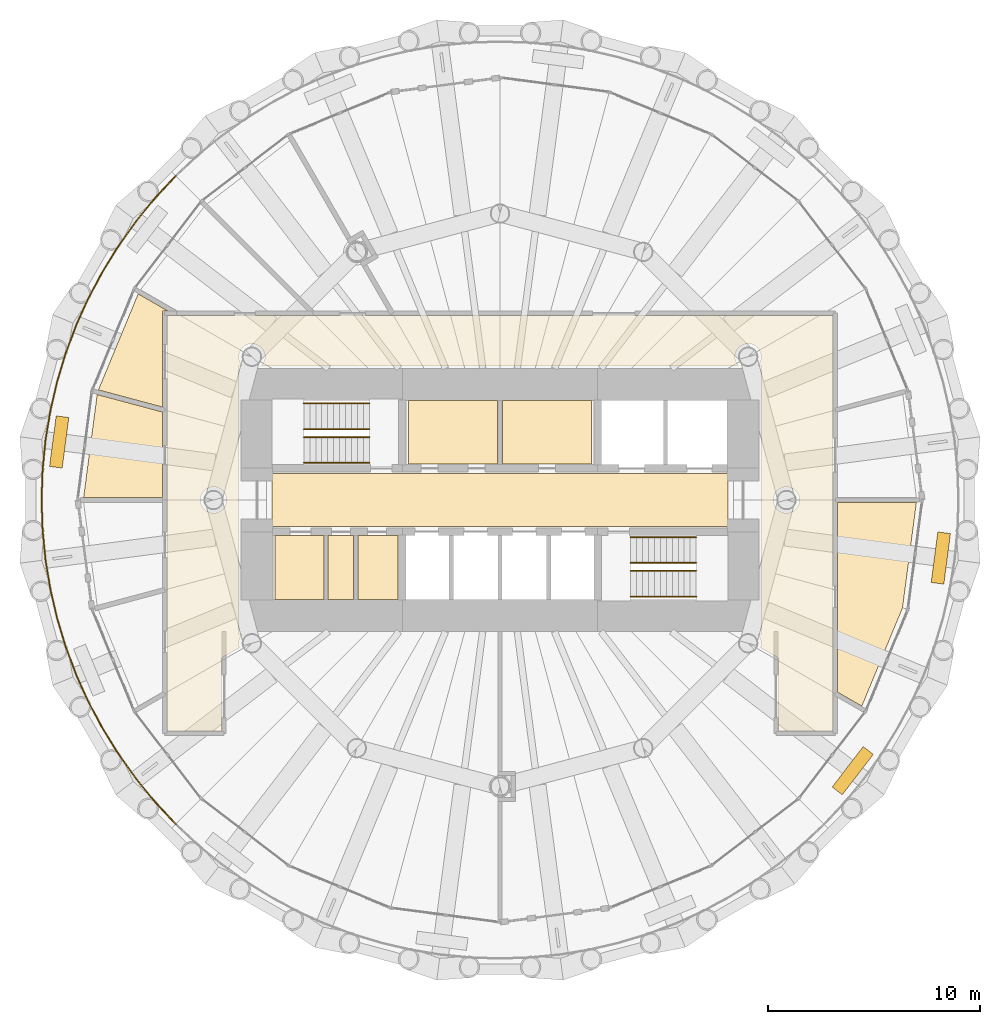
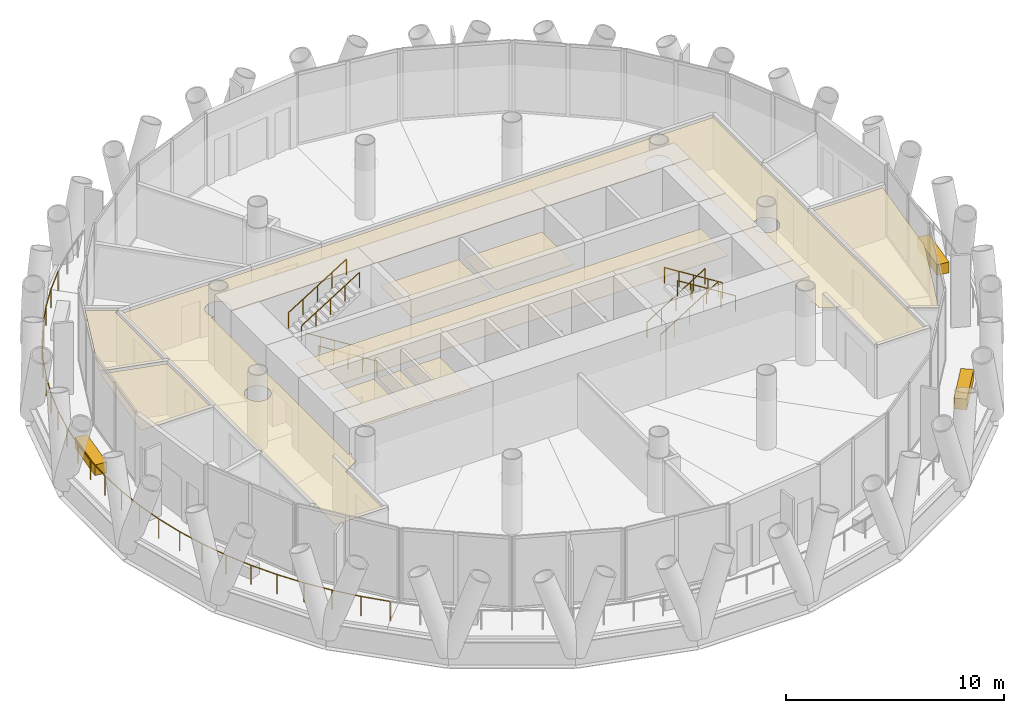
# One storey, part 14 of 16: 13 coverings, 9 railings.
"""IFC4 building model written with IfcOpenShell, lengths in metres."""

from ifc_helpers import new_model, si_unit, direction, frame, origin, origin_2d, place, context, subcontext, project, spatial, polyline, rectangle, circle, outline, extrude, material, layer, layer_set, type_object, element, save


model = new_model("IFC4")

# Units and contexts
model_context = context("Model", 3, precision=1e-05, world=origin(), true_north=direction((0.0, 1.0)))
body_context = subcontext(model_context, "Body", "Model", "MODEL_VIEW")
ifc_project = project(units=[si_unit("LENGTHUNIT", "METRE"), si_unit("AREAUNIT", "SQUARE_METRE"), si_unit("VOLUMEUNIT", "CUBIC_METRE"), si_unit("PLANEANGLEUNIT", "RADIAN"), si_unit("MASSUNIT", "GRAM", prefix="KILO")], contexts=[model_context])

# Site, building, storey
site_placement = place(None, origin())
site = spatial("IfcSite", under=ifc_project, at=site_placement, CompositionType="ELEMENT")
building_placement = place(site_placement, origin())
building = spatial("IfcBuilding", under=site, at=building_placement, Name="Qaws Media Tower", CompositionType="ELEMENT")
storey_placement = place(building_placement, frame((0.0, 0.0, 252.800048828125)))
storey = spatial("IfcBuildingStorey", under=building, at=storey_placement, Name="L58", CompositionType="ELEMENT", Elevation=252.800048828125)

# Covering
ifc_material_1 = material(Name="40 perforated acoustic panels with mineral wool backing, suspended", Category="mineral fibre")
ifc_layer_1 = layer(ifc_material_1, 0.0400390625)
ifc_layer_set_1 = layer_set([ifc_layer_1], Name="Acoustic panel ceiling 40")
covering_type_1 = type_object("IfcCoveringType", Name="Acoustic panel ceiling 40", PredefinedType="CEILING", material=ifc_layer_set_1)
covering_1_placement = place(storey_placement, frame((0.0, 0.0, 2.849853515625)))
element("IfcCovering", 1, at=covering_1_placement, inside=storey, type_object=covering_type_1, Name="CL3 ceiling L58-12 Bureau newsroom", PredefinedType="CEILING", context=body_context, shape_type="SweptSolid", body=[
    extrude(outline(polyline([(78.96630859375, 44.91796875), (77.048095703125, 40.287109375), (75.91259765625, 40.94287109375), (75.91259765625, 49.887451171875), (79.620361328125, 49.887451171875), (78.96630859375, 44.91796875)])), origin(), (0.0, 0.0, 1.0), 0.0400390625),
])

# Railing
ifc_material_2 = material(Name="Stainless steel and glass guard", Category="steel")
railing_type_1 = type_object("IfcRailingType", Name="Balcony guard 1100", PredefinedType="GUARDRAIL", material=ifc_material_2)
railing_placement = place(storey_placement, frame((44.7265625, 65.2734375, 0.0)))
element("IfcRailing", 2, at=railing_placement, inside=storey, type_object=railing_type_1, Name="GR1 balcony guard L58-2", PredefinedType="GUARDRAIL", context=body_context, shape_type="SweptSolid", body=[
    extrude(circle(Radius=0.02392578125, at=origin_2d()), frame((0.0, 0.0, 1.076171875), z_axis=(-0.683671032041, -0.729790326017, 0.0), x_axis=(0.729790326017, -0.683671032041, 0.0)), (0.0, 0.0, 1.0), 1.413330078125),
    extrude(circle(Radius=0.02392578125, at=origin_2d()), frame((-0.96630859375, -1.031494140625, 1.076171875), z_axis=(-0.634356309919, -0.773040795861, 0.0), x_axis=(0.773040795861, -0.634356309919, 0.0)), (0.0, 0.0, 1.0), 1.41357421875),
    extrude(circle(Radius=0.02392578125, at=origin_2d()), frame((-1.863037109375, -2.124267578125, 1.076171875), z_axis=(-0.582446664369, -0.812868921269, 0.0), x_axis=(0.812868921269, -0.582446664369, 0.0)), (0.0, 0.0, 1.0), 1.413330078125),
    extrude(circle(Radius=0.02392578125, at=origin_2d()), frame((-2.686279296875, -3.273193359375, 1.076171875), z_axis=(-0.528072180302, -0.849199489161, 0.0), x_axis=(0.849199489161, -0.528072180302, 0.0)), (0.0, 0.0, 1.0), 1.413330078125),
    extrude(circle(Radius=0.02392578125, at=origin_2d()), frame((-3.4326171875, -4.473388671875, 1.076171875), z_axis=(-0.471502337511, -0.881864811477, 0.0), x_axis=(0.881864811477, -0.471502337511, 0.0)), (0.0, 0.0, 1.0), 1.41357421875),
    extrude(circle(Radius=0.02392578125, at=origin_2d()), frame((-4.09912109375, -5.719970703125, 1.076171875), z_axis=(-0.412618425224, -0.91090396594, 0.0), x_axis=(0.91090396594, -0.412618425224, 0.0)), (0.0, 0.0, 1.0), 1.41357421875),
    extrude(circle(Radius=0.02392578125, at=origin_2d()), frame((-4.682373046875, -7.007568359375, 1.076171875), z_axis=(-0.35222117747, -0.935916792317, 0.0), x_axis=(0.935916792317, -0.35222117747, 0.0)), (0.0, 0.0, 1.0), 1.413330078125),
    extrude(circle(Radius=0.02392578125, at=origin_2d()), frame((-5.18017578125, -8.330322265625, 1.076171875), z_axis=(-0.290357337206, -0.956918291565, 0.0), x_axis=(0.956918291565, -0.290357337206, 0.0)), (0.0, 0.0, 1.0), 1.413330078125),
    extrude(circle(Radius=0.02392578125, at=origin_2d()), frame((-5.590576171875, -9.682861328125, 1.076171875), z_axis=(-0.227104044845, -0.97387050105, 0.0), x_axis=(0.97387050105, -0.227104044845, 0.0)), (0.0, 0.0, 1.0), 1.41357421875),
    extrude(circle(Radius=0.02392578125, at=origin_2d()), frame((-5.91162109375, -11.0595703125, 1.076171875), z_axis=(-0.162886222409, -0.986644859384, 0.0), x_axis=(0.986644859384, -0.162886222409, 0.0)), (0.0, 0.0, 1.0), 1.413330078125),
    extrude(circle(Radius=0.02392578125, at=origin_2d()), frame((-6.141845703125, -12.4541015625, 1.076171875), z_axis=(-0.097930334174, -0.99519327251, 0.0), x_axis=(0.99519327251, -0.097930334174, 0.0)), (0.0, 0.0, 1.0), 1.41357421875),
    extrude(circle(Radius=0.02392578125, at=origin_2d()), frame((-6.2802734375, -13.86083984375, 1.076171875), z_axis=(-0.032820193872, -0.999461272323, 0.0), x_axis=(0.999461272323, -0.032820193872, 0.0)), (0.0, 0.0, 1.0), 1.413330078125),
    extrude(circle(Radius=0.02392578125, at=origin_2d()), frame((-6.32666015625, -15.2734375, 1.076171875), z_axis=(0.032820193872, -0.999461272323, 0.0), x_axis=(0.999461272323, 0.032820193872, 0.0)), (0.0, 0.0, 1.0), 1.413330078125),
    extrude(circle(Radius=0.02392578125, at=origin_2d()), frame((-6.2802734375, -16.68603515625, 1.076171875), z_axis=(0.097930334174, -0.99519327251, 0.0), x_axis=(0.99519327251, 0.097930334174, 0.0)), (0.0, 0.0, 1.0), 1.41357421875),
    extrude(circle(Radius=0.02392578125, at=origin_2d()), frame((-6.141845703125, -18.0927734375, 1.076171875), z_axis=(0.162886222409, -0.986644859384, 0.0), x_axis=(0.986644859384, 0.162886222409, 0.0)), (0.0, 0.0, 1.0), 1.413330078125),
    extrude(circle(Radius=0.02392578125, at=origin_2d()), frame((-5.91162109375, -19.4873046875, 1.076171875), z_axis=(0.227104044845, -0.97387050105, 0.0), x_axis=(0.97387050105, 0.227104044845, 0.0)), (0.0, 0.0, 1.0), 1.41357421875),
    extrude(circle(Radius=0.02392578125, at=origin_2d()), frame((-5.590576171875, -20.864013671875, 1.076171875), z_axis=(0.290357337206, -0.956918291565, 0.0), x_axis=(0.956918291565, 0.290357337206, 0.0)), (0.0, 0.0, 1.0), 1.413330078125),
    extrude(circle(Radius=0.02392578125, at=origin_2d()), frame((-5.18017578125, -22.216552734375, 1.076171875), z_axis=(0.35222117747, -0.935916792317, 0.0), x_axis=(0.935916792317, 0.35222117747, 0.0)), (0.0, 0.0, 1.0), 1.413330078125),
    extrude(circle(Radius=0.02392578125, at=origin_2d()), frame((-4.682373046875, -23.539306640625, 1.076171875), z_axis=(0.412618425224, -0.91090396594, 0.0), x_axis=(0.91090396594, 0.412618425224, 0.0)), (0.0, 0.0, 1.0), 1.41357421875),
    extrude(circle(Radius=0.02392578125, at=origin_2d()), frame((-4.09912109375, -24.826904296875, 1.076171875), z_axis=(0.471502337511, -0.881864811477, 0.0), x_axis=(0.881864811477, 0.471502337511, 0.0)), (0.0, 0.0, 1.0), 1.41357421875),
    extrude(circle(Radius=0.02392578125, at=origin_2d()), frame((-3.4326171875, -26.073486328125, 1.076171875), z_axis=(0.528072180302, -0.849199489161, 0.0), x_axis=(0.849199489161, 0.528072180302, 0.0)), (0.0, 0.0, 1.0), 1.413330078125),
    extrude(circle(Radius=0.02392578125, at=origin_2d()), frame((-2.686279296875, -27.273681640625, 1.076171875), z_axis=(0.582446664369, -0.812868921269, 0.0), x_axis=(0.812868921269, 0.582446664369, 0.0)), (0.0, 0.0, 1.0), 1.413330078125),
    extrude(circle(Radius=0.02392578125, at=origin_2d()), frame((-1.863037109375, -28.422607421875, 1.076171875), z_axis=(0.634356309919, -0.773040795861, 0.0), x_axis=(0.773040795861, 0.634356309919, 0.0)), (0.0, 0.0, 1.0), 1.41357421875),
    extrude(circle(Radius=0.02392578125, at=origin_2d()), frame((-0.96630859375, -29.515380859375, 1.076171875), z_axis=(0.683671032041, -0.729790326017, 0.0), x_axis=(0.729790326017, 0.683671032041, 0.0)), (0.0, 0.0, 1.0), 1.413330078125),
    extrude(circle(Radius=0.02099609375, at=origin_2d()), origin(), (0.0, 0.0, 1.0), 1.052001953125),
    extrude(circle(Radius=0.02099609375, at=origin_2d()), frame((-0.96630859375, -1.031494140625, 0.0)), (0.0, 0.0, 1.0), 1.052001953125),
    extrude(circle(Radius=0.02099609375, at=origin_2d()), frame((-1.863037109375, -2.124267578125, 0.0)), (0.0, 0.0, 1.0), 1.052001953125),
    extrude(circle(Radius=0.02099609375, at=origin_2d()), frame((-2.686279296875, -3.273193359375, 0.0)), (0.0, 0.0, 1.0), 1.052001953125),
    extrude(circle(Radius=0.02099609375, at=origin_2d()), frame((-3.4326171875, -4.473388671875, 0.0)), (0.0, 0.0, 1.0), 1.052001953125),
    extrude(circle(Radius=0.02099609375, at=origin_2d()), frame((-4.09912109375, -5.719970703125, 0.0)), (0.0, 0.0, 1.0), 1.052001953125),
    extrude(circle(Radius=0.02099609375, at=origin_2d()), frame((-4.682373046875, -7.007568359375, 0.0)), (0.0, 0.0, 1.0), 1.052001953125),
    extrude(circle(Radius=0.02099609375, at=origin_2d()), frame((-5.18017578125, -8.330322265625, 0.0)), (0.0, 0.0, 1.0), 1.052001953125),
    extrude(circle(Radius=0.02099609375, at=origin_2d()), frame((-5.590576171875, -9.682861328125, 0.0)), (0.0, 0.0, 1.0), 1.052001953125),
    extrude(circle(Radius=0.02099609375, at=origin_2d()), frame((-5.91162109375, -11.0595703125, 0.0)), (0.0, 0.0, 1.0), 1.052001953125),
    extrude(circle(Radius=0.02099609375, at=origin_2d()), frame((-6.141845703125, -12.4541015625, 0.0)), (0.0, 0.0, 1.0), 1.052001953125),
    extrude(circle(Radius=0.02099609375, at=origin_2d()), frame((-6.2802734375, -13.86083984375, 0.0)), (0.0, 0.0, 1.0), 1.052001953125),
    extrude(circle(Radius=0.02099609375, at=origin_2d()), frame((-6.32666015625, -15.2734375, 0.0)), (0.0, 0.0, 1.0), 1.052001953125),
    extrude(circle(Radius=0.02099609375, at=origin_2d()), frame((-6.2802734375, -16.68603515625, 0.0)), (0.0, 0.0, 1.0), 1.052001953125),
    extrude(circle(Radius=0.02099609375, at=origin_2d()), frame((-6.141845703125, -18.0927734375, 0.0)), (0.0, 0.0, 1.0), 1.052001953125),
    extrude(circle(Radius=0.02099609375, at=origin_2d()), frame((-5.91162109375, -19.4873046875, 0.0)), (0.0, 0.0, 1.0), 1.052001953125),
    extrude(circle(Radius=0.02099609375, at=origin_2d()), frame((-5.590576171875, -20.864013671875, 0.0)), (0.0, 0.0, 1.0), 1.052001953125),
    extrude(circle(Radius=0.02099609375, at=origin_2d()), frame((-5.18017578125, -22.216552734375, 0.0)), (0.0, 0.0, 1.0), 1.052001953125),
    extrude(circle(Radius=0.02099609375, at=origin_2d()), frame((-4.682373046875, -23.539306640625, 0.0)), (0.0, 0.0, 1.0), 1.052001953125),
    extrude(circle(Radius=0.02099609375, at=origin_2d()), frame((-4.09912109375, -24.826904296875, 0.0)), (0.0, 0.0, 1.0), 1.052001953125),
    extrude(circle(Radius=0.02099609375, at=origin_2d()), frame((-3.4326171875, -26.073486328125, 0.0)), (0.0, 0.0, 1.0), 1.052001953125),
    extrude(circle(Radius=0.02099609375, at=origin_2d()), frame((-2.686279296875, -27.273681640625, 0.0)), (0.0, 0.0, 1.0), 1.052001953125),
    extrude(circle(Radius=0.02099609375, at=origin_2d()), frame((-1.863037109375, -28.422607421875, 0.0)), (0.0, 0.0, 1.0), 1.052001953125),
    extrude(circle(Radius=0.02099609375, at=origin_2d()), frame((-0.96630859375, -29.515380859375, 0.0)), (0.0, 0.0, 1.0), 1.052001953125),
    extrude(circle(Radius=0.02099609375, at=origin_2d()), frame((0.0, -30.546875, 0.0)), (0.0, 0.0, 1.0), 1.052001953125),
])

# Coverings
ifc_material_3 = material(Name="600 x 600 mineral fibre tiles in exposed grid, suspended", Category="mineral fibre")
ifc_layer_2 = layer(ifc_material_3, 0.02001953125)
ifc_layer_set_2 = layer_set([ifc_layer_2], Name="Mineral fibre tile ceiling 20")
covering_type_2 = type_object("IfcCoveringType", Name="Mineral fibre tile ceiling 20", PredefinedType="CEILING", material=ifc_layer_set_2)
covering_2_placement = place(storey_placement, frame((0.0, 0.0, 2.849853515625)))
element("IfcCovering", 3, at=covering_2_placement, inside=storey, type_object=covering_type_2, Name="CL1 ceiling L58-C07 Ladies toilets", PredefinedType="CEILING", context=body_context, shape_type="SweptSolid", body=[
    extrude(outline(polyline([(55.695068359375, 51.695068359375), (55.695068359375, 54.679931640625), (59.8798828125, 54.679931640625), (59.8798828125, 51.695068359375), (55.695068359375, 51.695068359375)])), origin(), (0.0, 0.0, 1.0), 0.02001953125),
])
covering_3_placement = place(storey_placement, frame((0.0, 0.0, 2.849853515625)))
element("IfcCovering", 4, at=covering_3_placement, inside=storey, type_object=covering_type_2, Name="CL1 ceiling L58-C08 Gents toilets", PredefinedType="CEILING", context=body_context, shape_type="SweptSolid", body=[
    extrude(outline(polyline([(60.1201171875, 51.695068359375), (60.1201171875, 54.679931640625), (64.304931640625, 54.679931640625), (64.304931640625, 51.695068359375), (60.1201171875, 51.695068359375)])), origin(), (0.0, 0.0, 1.0), 0.02001953125),
])
covering_4_placement = place(storey_placement, frame((0.0, 0.0, 2.849853515625)))
element("IfcCovering", 5, at=covering_4_placement, inside=storey, type_object=covering_type_2, Name="CL1 ceiling L58-01 Corridor", PredefinedType="CEILING", context=body_context, shape_type="SweptSolid", body=[
    extrude(outline(polyline([(46.887451171875, 39.112548828125), (44.3125, 39.112548828125), (44.3125, 58.6875), (75.6875, 58.6875), (75.6875, 39.112548828125), (73.112548828125, 39.112548828125), (73.112548828125, 42.559326171875), (72.27197265625, 43.044921875), (72.287353515625, 43.09033203125), (72.302978515625, 43.16943359375), (72.308349609375, 43.25), (72.302978515625, 43.33056640625), (72.287353515625, 43.40966796875), (72.261474609375, 43.486083984375), (72.2255859375, 43.55859375), (72.180908203125, 43.62548828125), (72.126220703125, 43.6875), (72.3125, 43.6875), (72.3125, 56.3125), (72.126220703125, 56.3125), (72.180908203125, 56.37451171875), (72.2255859375, 56.44140625), (72.261474609375, 56.513916015625), (72.287353515625, 56.59033203125), (72.302978515625, 56.66943359375), (72.308349609375, 56.75), (72.302978515625, 56.83056640625), (72.287353515625, 56.90966796875), (72.261474609375, 56.986083984375), (72.2255859375, 57.05859375), (72.180908203125, 57.12548828125), (72.127685546875, 57.186279296875), (72.06689453125, 57.239501953125), (71.999755859375, 57.2841796875), (71.927490234375, 57.320068359375), (71.85107421875, 57.345947265625), (71.77197265625, 57.36181640625), (71.69140625, 57.366943359375), (71.61083984375, 57.36181640625), (71.53173828125, 57.345947265625), (71.455078125, 57.320068359375), (71.3828125, 57.2841796875), (71.315673828125, 57.239501953125), (71.255126953125, 57.186279296875), (71.201904296875, 57.12548828125), (71.156982421875, 57.05859375), (71.121337890625, 56.986083984375), (71.095458984375, 56.90966796875), (71.07958984375, 56.83056640625), (71.07421875, 56.75), (71.07958984375, 56.66943359375), (71.095458984375, 56.59033203125), (71.121337890625, 56.513916015625), (71.156982421875, 56.44140625), (71.201904296875, 56.37451171875), (71.25634765625, 56.3125), (48.74365234375, 56.3125), (48.798095703125, 56.37451171875), (48.843017578125, 56.44140625), (48.878662109375, 56.513916015625), (48.904541015625, 56.59033203125), (48.92041015625, 56.66943359375), (48.92578125, 56.75), (48.92041015625, 56.83056640625), (48.904541015625, 56.90966796875), (48.878662109375, 56.986083984375), (48.843017578125, 57.05859375), (48.798095703125, 57.12548828125), (48.744873046875, 57.186279296875), (48.684326171875, 57.239501953125), (48.6171875, 57.2841796875), (48.544921875, 57.320068359375), (48.46826171875, 57.345947265625), (48.38916015625, 57.36181640625), (48.30859375, 57.366943359375), (48.22802734375, 57.36181640625), (48.14892578125, 57.345947265625), (48.072509765625, 57.320068359375), (48.000244140625, 57.2841796875), (47.93310546875, 57.239501953125), (47.872314453125, 57.186279296875), (47.819091796875, 57.12548828125), (47.7744140625, 57.05859375), (47.738525390625, 56.986083984375), (47.712646484375, 56.90966796875), (47.697021484375, 56.83056640625), (47.691650390625, 56.75), (47.697021484375, 56.66943359375), (47.712646484375, 56.59033203125), (47.738525390625, 56.513916015625), (47.7744140625, 56.44140625), (47.819091796875, 56.37451171875), (47.873779296875, 56.3125), (47.6875, 56.3125), (47.6875, 43.6875), (47.873779296875, 43.6875), (47.819091796875, 43.62548828125), (47.7744140625, 43.55859375), (47.738525390625, 43.486083984375), (47.712646484375, 43.40966796875), (47.697021484375, 43.33056640625), (47.691650390625, 43.25), (47.697021484375, 43.16943359375), (47.712646484375, 43.09033203125), (47.72802734375, 43.044921875), (46.887451171875, 42.559326171875), (46.887451171875, 39.112548828125)]), holes=[polyline([(47.070068359375, 49.763916015625), (47.095947265625, 49.84033203125), (47.11181640625, 49.91943359375), (47.116943359375, 50.0), (47.11181640625, 50.08056640625), (47.095947265625, 50.15966796875), (47.070068359375, 50.236083984375), (47.0341796875, 50.30859375), (46.989501953125, 50.37548828125), (46.936279296875, 50.436279296875), (46.87548828125, 50.489501953125), (46.80859375, 50.5341796875), (46.736083984375, 50.570068359375), (46.65966796875, 50.595947265625), (46.58056640625, 50.61181640625), (46.5, 50.616943359375), (46.41943359375, 50.61181640625), (46.34033203125, 50.595947265625), (46.263916015625, 50.570068359375), (46.19140625, 50.5341796875), (46.12451171875, 50.489501953125), (46.063720703125, 50.436279296875), (46.010498046875, 50.37548828125), (45.9658203125, 50.30859375), (45.929931640625, 50.236083984375), (45.904052734375, 50.15966796875), (45.88818359375, 50.08056640625), (45.883056640625, 50.0), (45.88818359375, 49.91943359375), (45.904052734375, 49.84033203125), (45.929931640625, 49.763916015625), (45.9658203125, 49.69140625), (46.010498046875, 49.62451171875), (46.063720703125, 49.563720703125), (46.12451171875, 49.510498046875), (46.19140625, 49.4658203125), (46.263916015625, 49.429931640625), (46.34033203125, 49.404052734375), (46.41943359375, 49.38818359375), (46.5, 49.383056640625), (46.58056640625, 49.38818359375), (46.65966796875, 49.404052734375), (46.736083984375, 49.429931640625), (46.80859375, 49.4658203125), (46.87548828125, 49.510498046875), (46.936279296875, 49.563720703125), (46.989501953125, 49.62451171875), (47.0341796875, 49.69140625), (47.070068359375, 49.763916015625)]), polyline([(74.095947265625, 49.84033203125), (74.11181640625, 49.91943359375), (74.116943359375, 50.0), (74.11181640625, 50.08056640625), (74.095947265625, 50.15966796875), (74.070068359375, 50.236083984375), (74.0341796875, 50.30859375), (73.989501953125, 50.37548828125), (73.936279296875, 50.436279296875), (73.87548828125, 50.489501953125), (73.80859375, 50.5341796875), (73.736083984375, 50.570068359375), (73.65966796875, 50.595947265625), (73.58056640625, 50.61181640625), (73.5, 50.616943359375), (73.41943359375, 50.61181640625), (73.34033203125, 50.595947265625), (73.263916015625, 50.570068359375), (73.19140625, 50.5341796875), (73.12451171875, 50.489501953125), (73.063720703125, 50.436279296875), (73.010498046875, 50.37548828125), (72.9658203125, 50.30859375), (72.929931640625, 50.236083984375), (72.904052734375, 50.15966796875), (72.88818359375, 50.08056640625), (72.883056640625, 50.0), (72.88818359375, 49.91943359375), (72.904052734375, 49.84033203125), (72.929931640625, 49.763916015625), (72.9658203125, 49.69140625), (73.010498046875, 49.62451171875), (73.063720703125, 49.563720703125), (73.12451171875, 49.510498046875), (73.19140625, 49.4658203125), (73.263916015625, 49.429931640625), (73.34033203125, 49.404052734375), (73.41943359375, 49.38818359375), (73.5, 49.383056640625), (73.58056640625, 49.38818359375), (73.65966796875, 49.404052734375), (73.736083984375, 49.429931640625), (73.80859375, 49.4658203125), (73.87548828125, 49.510498046875), (73.936279296875, 49.563720703125), (73.989501953125, 49.62451171875), (74.0341796875, 49.69140625), (74.070068359375, 49.763916015625), (74.095947265625, 49.84033203125)])]), origin(), (0.0, 0.0, 1.0), 0.02001953125),
])
covering_5_placement = place(storey_placement, frame((0.0, 0.0, 2.849853515625)))
element("IfcCovering", 6, at=covering_5_placement, inside=storey, type_object=covering_type_2, Name="CL1 ceiling L58-07 Office", PredefinedType="CEILING", context=body_context, shape_type="SweptSolid", body=[
    extrude(outline(polyline([(41.01904296875, 54.969482421875), (44.08740234375, 54.147216796875), (44.08740234375, 50.112548828125), (40.379638671875, 50.112548828125), (41.01904296875, 54.969482421875)])), origin(), (0.0, 0.0, 1.0), 0.02001953125),
])
covering_6_placement = place(storey_placement, frame((0.0, 0.0, 2.849853515625)))
element("IfcCovering", 7, at=covering_6_placement, inside=storey, type_object=covering_type_2, Name="CL1 ceiling L58-C05 Cleaner's room", PredefinedType="CEILING", context=body_context, shape_type="SweptSolid", body=[
    extrude(outline(polyline([(51.89990234375, 45.300048828125), (51.89990234375, 48.324951171875), (53.10009765625, 48.324951171875), (53.10009765625, 45.300048828125), (51.89990234375, 45.300048828125)])), origin(), (0.0, 0.0, 1.0), 0.02001953125),
])
covering_7_placement = place(storey_placement, frame((0.0, 0.0, 2.849853515625)))
element("IfcCovering", 8, at=covering_7_placement, inside=storey, type_object=covering_type_2, Name="CL1 ceiling L58-C06 First aid room", PredefinedType="CEILING", context=body_context, shape_type="SweptSolid", body=[
    extrude(outline(polyline([(53.300048828125, 45.300048828125), (53.300048828125, 48.324951171875), (55.199951171875, 48.324951171875), (55.199951171875, 45.300048828125), (53.300048828125, 45.300048828125)])), origin(), (0.0, 0.0, 1.0), 0.02001953125),
])
ifc_material_4 = material(Name="Precast concrete planter with trailing planting", Category="concrete")
ifc_layer_3 = layer(ifc_material_4, 0.60009765625)
ifc_layer_set_3 = layer_set([ifc_layer_3], Name="Planter 2400x600")
covering_type_3 = type_object("IfcCoveringType", Name="Planter 2400x600", PredefinedType="USERDEFINED", material=ifc_layer_set_3)
for number, where, z_axis, x_axis, name in (
    (9, (39.229248046875, 52.734619140625, 0.0), (0.0, 0.0, 1.0), (-0.13052619222, -0.991444861374, 0.0), "PL1 balcony planter L58-06"),
    (10, (76.620849609375, 37.246337890625, 0.0), (0.0, 0.0, 1.0), (0.608761429009, 0.793353340291, 0.0), "PL1 balcony planter L58-11"),
    (11, (80.770751953125, 47.265380859375, 0.0), (0.0, 0.0, 1.0), (0.13052619222, 0.991444861374, 0.0), "PL1 balcony planter L58-12"),
):
    element("IfcCovering", number, at=place(storey_placement, frame(where, z_axis=z_axis, x_axis=x_axis)), inside=storey, type_object=covering_type_3, Name=name, ObjectType="PLANTER", PredefinedType="USERDEFINED", context=body_context, shape_type="SweptSolid", body=[
        extrude(rectangle(XDim=2.39990234375, YDim=0.60009765625, at=origin_2d()), origin(), (0.0, 0.0, 1.0), 0.60009765625),
    ])
ifc_material_5 = material(Name="Two layers 12.5 moisture-resistant plasterboard on suspended metal furring", Category="gypsum")
ifc_layer_4 = layer(ifc_material_5, 0.02490234375)
ifc_layer_set_4 = layer_set([ifc_layer_4], Name="Plasterboard ceiling 25")
covering_type_4 = type_object("IfcCoveringType", Name="Plasterboard ceiling 25", PredefinedType="CEILING", material=ifc_layer_set_4)
covering_8_placement = place(storey_placement, frame((0.0, 0.0, 2.849853515625)))
element("IfcCovering", 12, at=covering_8_placement, inside=storey, type_object=covering_type_4, Name="CL2 ceiling L58-C01 Lift lobby", PredefinedType="CEILING", context=body_context, shape_type="SweptSolid", body=[
    extrude(outline(polyline([(49.25, 48.75), (49.25, 51.25), (70.75, 51.25), (70.75, 48.75), (49.25, 48.75)])), origin(), (0.0, 0.0, 1.0), 0.025146484375),
])
covering_9_placement = place(storey_placement, frame((0.0, 0.0, 2.849853515625)))
element("IfcCovering", 13, at=covering_9_placement, inside=storey, type_object=covering_type_4, Name="CL2 ceiling L58-06 Bureau reception", PredefinedType="CEILING", context=body_context, shape_type="SweptSolid", body=[
    extrude(outline(polyline([(42.951904296875, 59.712890625), (44.338134765625, 58.91259765625), (44.08740234375, 58.91259765625), (44.08740234375, 54.380126953125), (41.0771484375, 55.186767578125), (42.951904296875, 59.712890625)])), origin(), (0.0, 0.0, 1.0), 0.025146484375),
])
covering_10_placement = place(storey_placement, frame((0.0, 0.0, 2.849853515625)))
element("IfcCovering", 14, at=covering_10_placement, inside=storey, type_object=covering_type_4, Name="CL2 ceiling L58-C04 Accessible WC", PredefinedType="CEILING", context=body_context, shape_type="SweptSolid", body=[
    extrude(outline(polyline([(49.39990234375, 45.300048828125), (49.39990234375, 48.324951171875), (51.699951171875, 48.324951171875), (51.699951171875, 45.300048828125), (49.39990234375, 45.300048828125)])), origin(), (0.0, 0.0, 1.0), 0.025146484375),
])

# Railings
ifc_material_6 = material(Name="Steel tube handrail", Category="steel")
railing_type_2 = type_object("IfcRailingType", Name="Stair handrail 900", PredefinedType="HANDRAIL", material=ifc_material_6)
for number, where, name in (
    (15, (53.840087890625, 51.75, 0.175048828125), "HR1 handrail S1 flight 1 L58"),
    (16, (53.840087890625, 52.9599609375, 0.175048828125), "HR1 handrail S1 flight 1 L58"),
):
    element("IfcRailing", number, at=place(storey_placement, frame(where)), inside=storey, type_object=railing_type_2, Name=name, PredefinedType="HANDRAIL", context=body_context, shape_type="SweptSolid", body=[
        extrude(circle(Radius=0.02392578125, at=origin_2d()), frame((0.0, 0.0, 0.8759765625), z_axis=(-0.848028513186, 0.0, 0.529950602248), x_axis=(0.0, -1.0, 0.0)), (0.0, 0.0, 1.0), 3.632080078125),
        extrude(circle(Radius=0.02099609375, at=origin_2d()), origin(), (0.0, 0.0, 1.0), 0.851806640625),
        extrude(circle(Radius=0.02099609375, at=origin_2d()), frame((-0.77001953125, 0.0, 0.481201171875)), (0.0, 0.0, 1.0), 0.851806640625),
        extrude(circle(Radius=0.02099609375, at=origin_2d()), frame((-1.5400390625, 0.0, 0.96240234375)), (0.0, 0.0, 1.0), 0.851806640625),
        extrude(circle(Radius=0.02099609375, at=origin_2d()), frame((-2.31005859375, 0.0, 1.443603515625)), (0.0, 0.0, 1.0), 0.851806640625),
        extrude(circle(Radius=0.02099609375, at=origin_2d()), frame((-3.080078125, 0.0, 1.9248046875)), (0.0, 0.0, 1.0), 0.851806640625),
    ])
for number, where, name in (
    (17, (50.760009765625, 54.550048828125, 2.27490234375), "HR1 handrail S1 flight 2 L58"),
    (18, (50.760009765625, 53.340087890625, 2.27490234375), "HR1 handrail S1 flight 2 L58"),
):
    element("IfcRailing", number, at=place(storey_placement, frame(where)), inside=storey, type_object=railing_type_2, Name=name, PredefinedType="HANDRAIL", context=body_context, shape_type="SweptSolid", body=[
        extrude(circle(Radius=0.02392578125, at=origin_2d()), frame((0.0, 0.0, 0.8759765625), z_axis=(0.847998304005, 0.0, 0.529998940003), x_axis=(0.0, 1.0, 0.0)), (0.0, 0.0, 1.0), 3.632080078125),
        extrude(circle(Radius=0.02099609375, at=origin_2d()), origin(), (0.0, 0.0, 1.0), 0.851806640625),
        extrude(circle(Radius=0.02099609375, at=origin_2d()), frame((0.77001953125, 0.0, 0.481201171875)), (0.0, 0.0, 1.0), 0.851806640625),
        extrude(circle(Radius=0.02099609375, at=origin_2d()), frame((1.5400390625, 0.0, 0.96240234375)), (0.0, 0.0, 1.0), 0.851806640625),
        extrude(circle(Radius=0.02099609375, at=origin_2d()), frame((2.31005859375, 0.0, 1.44384765625)), (0.0, 0.0, 1.0), 0.851806640625),
        extrude(circle(Radius=0.02099609375, at=origin_2d()), frame((3.080078125, 0.0, 1.925048828125)), (0.0, 0.0, 1.0), 0.851806640625),
    ])
for number, where, name in (
    (19, (66.159912109375, 48.25, 0.175048828125), "HR1 handrail S2 flight 1 L58"),
    (20, (66.159912109375, 47.0400390625, 0.175048828125), "HR1 handrail S2 flight 1 L58"),
):
    element("IfcRailing", number, at=place(storey_placement, frame(where)), inside=storey, type_object=railing_type_2, Name=name, PredefinedType="HANDRAIL", context=body_context, shape_type="SweptSolid", body=[
        extrude(circle(Radius=0.02392578125, at=origin_2d()), frame((0.0, 0.0, 0.8759765625), z_axis=(0.848028513186, 0.0, 0.529950602248), x_axis=(0.0, 1.0, 0.0)), (0.0, 0.0, 1.0), 3.632080078125),
        extrude(circle(Radius=0.02099609375, at=origin_2d()), origin(), (0.0, 0.0, 1.0), 0.851806640625),
        extrude(circle(Radius=0.02099609375, at=origin_2d()), frame((0.77001953125, 0.0, 0.481201171875)), (0.0, 0.0, 1.0), 0.851806640625),
        extrude(circle(Radius=0.02099609375, at=origin_2d()), frame((1.5400390625, 0.0, 0.96240234375)), (0.0, 0.0, 1.0), 0.851806640625),
        extrude(circle(Radius=0.02099609375, at=origin_2d()), frame((2.31005859375, 0.0, 1.443603515625)), (0.0, 0.0, 1.0), 0.851806640625),
        extrude(circle(Radius=0.02099609375, at=origin_2d()), frame((3.080078125, 0.0, 1.9248046875)), (0.0, 0.0, 1.0), 0.851806640625),
    ])
for number, where, name in (
    (21, (69.239990234375, 45.449951171875, 2.27490234375), "HR1 handrail S2 flight 2 L58"),
    (22, (69.239990234375, 46.659912109375, 2.27490234375), "HR1 handrail S2 flight 2 L58"),
):
    element("IfcRailing", number, at=place(storey_placement, frame(where)), inside=storey, type_object=railing_type_2, Name=name, PredefinedType="HANDRAIL", context=body_context, shape_type="SweptSolid", body=[
        extrude(circle(Radius=0.02392578125, at=origin_2d()), frame((0.0, 0.0, 0.8759765625), z_axis=(-0.847998304005, 0.0, 0.529998940003), x_axis=(0.0, -1.0, 0.0)), (0.0, 0.0, 1.0), 3.632080078125),
        extrude(circle(Radius=0.02099609375, at=origin_2d()), origin(), (0.0, 0.0, 1.0), 0.851806640625),
        extrude(circle(Radius=0.02099609375, at=origin_2d()), frame((-0.77001953125, 0.0, 0.481201171875)), (0.0, 0.0, 1.0), 0.851806640625),
        extrude(circle(Radius=0.02099609375, at=origin_2d()), frame((-1.5400390625, 0.0, 0.96240234375)), (0.0, 0.0, 1.0), 0.851806640625),
        extrude(circle(Radius=0.02099609375, at=origin_2d()), frame((-2.31005859375, 0.0, 1.44384765625)), (0.0, 0.0, 1.0), 0.851806640625),
        extrude(circle(Radius=0.02099609375, at=origin_2d()), frame((-3.080078125, 0.0, 1.925048828125)), (0.0, 0.0, 1.0), 0.851806640625),
    ])

save(model, "model.ifc")
